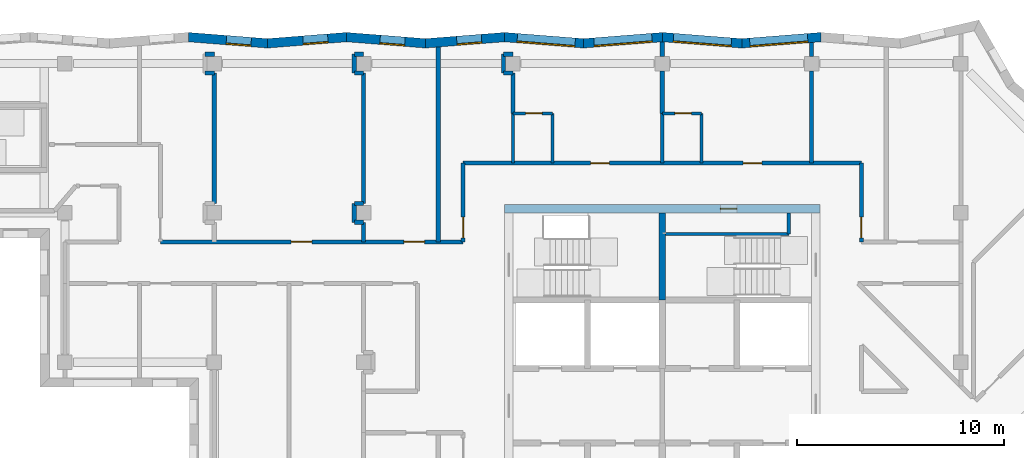
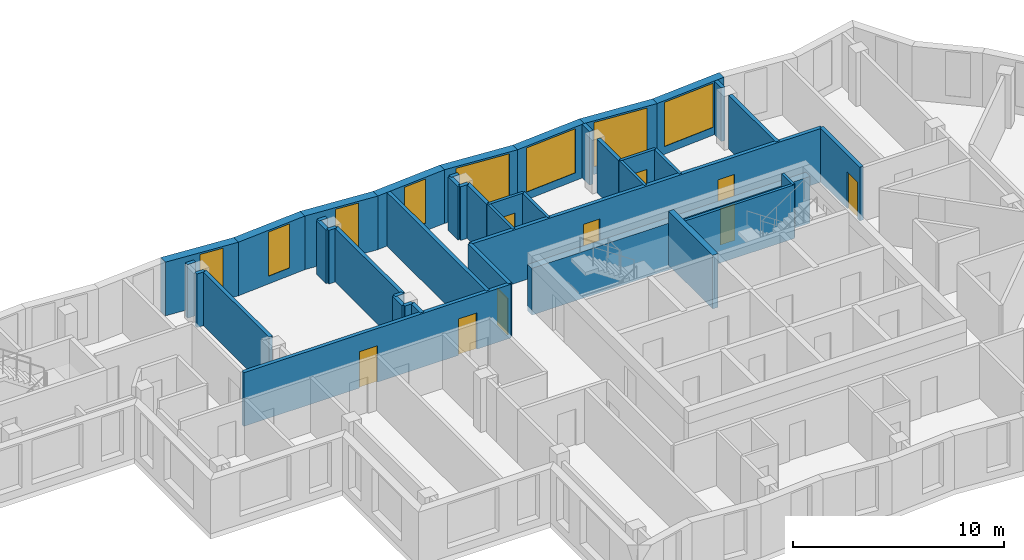
# One storey, part 6 of 13: 42 walls, 9 doors, 8 windows, 17 openings.
"""IFC4 building model written with IfcOpenShell, lengths in metres."""

from ifc_helpers import new_model, si_unit, direction, frame, frame_2d, origin, place, context, subcontext, project, spatial, polyline, rectangle, outline, extrude, material, layer, layer_set, type_object, element, fill, save


model = new_model("IFC4")

# Units and contexts
model_context = context("Model", 3, precision=1e-05, world=origin(), true_north=direction((0.0, 1.0)))
body_context = subcontext(model_context, "Body", "Model", "MODEL_VIEW")
ifc_project = project(units=[si_unit("LENGTHUNIT", "METRE"), si_unit("AREAUNIT", "SQUARE_METRE"), si_unit("VOLUMEUNIT", "CUBIC_METRE"), si_unit("PLANEANGLEUNIT", "RADIAN"), si_unit("MASSUNIT", "GRAM", prefix="KILO")], contexts=[model_context])

# Site, building, storey
site_placement = place(None, origin())
site = spatial("IfcSite", under=ifc_project, at=site_placement, CompositionType="ELEMENT")
building_placement = place(site_placement, origin())
building = spatial("IfcBuilding", under=site, at=building_placement, Name="Windrow Commons", CompositionType="ELEMENT")
storey_placement = place(building_placement, frame((0.0, 0.0, 243.8)))
storey = spatial("IfcBuildingStorey", under=building, at=storey_placement, Name="L66", CompositionType="ELEMENT", Elevation=243.8)

# Wall, opening, window
ifc_material_1 = material(Name="Brick masonry, red clay brick", Category="masonry")
ifc_layer_1 = layer(ifc_material_1, 0.45)
ifc_layer_set_1 = layer_set([ifc_layer_1], Name="Brick facade wall 450")
wall_type_1 = type_object("IfcWallType", Name="Brick facade wall 450", PredefinedType="SOLIDWALL", material=ifc_layer_set_1)
wall_1_placement = place(storey_placement, frame((72.4456, 73.2743, 0.0), z_axis=(0.0, 0.0, 1.0), x_axis=(-0.9969177178, -0.0784542156, 0.0)))
wall_1 = element("IfcWall", 1, at=wall_1_placement, inside=storey, type_object=wall_type_1, Name="Brick facade wall L66 19", PredefinedType="SOLIDWALL", context=body_context, shape_type="SweptSolid", body=[
    extrude(outline(polyline([(-0.0177, -0.225), (3.8062, -0.225), (3.8416, 0.225), (0.0177, 0.225), (-0.0177, -0.225)])), origin(), (0.0, 0.0, 1.0), 3.1),
])
opening_1_placement = place(wall_1_placement, frame((0.6355, 0.0, 0.45)))
opening_1 = element("IfcOpeningElement", 2, at=opening_1_placement, cuts=wall_1, Name="Opening W1V", PredefinedType="OPENING", context=body_context, shape_type="SweptSolid", body=[
    extrude(rectangle(XDim=2.8, YDim=2.55, at=frame_2d((1.4, 1.275))), frame((0.0, 0.235, 0.0), z_axis=(0.0, -1.0, 0.0), x_axis=(1.0, 0.0, 0.0)), (0.0, 0.0, 1.0), 0.47),
])
ifc_material_2 = material(Name="Clear float glass in anodised aluminium frame", Category="aluminium")
window_type_1 = type_object("IfcWindowType", Name="Window W1V bedroom 2800x2550", PartitioningType="SINGLE_PANEL", PredefinedType="WINDOW", material=ifc_material_2)
window_1_placement = place(opening_1_placement, origin())
window_1 = element("IfcWindow", 3, at=window_1_placement, inside=storey, type_object=window_type_1, Name="Window L66 19.1", OverallHeight=2.55, OverallWidth=2.8, PartitioningType="SINGLE_PANEL", PredefinedType="WINDOW", context=body_context, shape_type="SweptSolid", body=[
    extrude(rectangle(XDim=2.8, YDim=2.55, at=frame_2d((1.4, 1.275))), frame((0.0, 0.205, 0.0), z_axis=(0.0, -1.0, 0.0), x_axis=(1.0, 0.0, 0.0)), (0.0, 0.0, 1.0), 0.06),
])
fill(opening_1, window_1)

wall_2_placement = place(storey_placement, frame((68.6335, 72.9743, 0.0), z_axis=(0.0, 0.0, 1.0), x_axis=(-0.9969177178, 0.0784542156, 0.0)))
wall_2 = element("IfcWall", 4, at=wall_2_placement, inside=storey, type_object=wall_type_1, Name="Brick facade wall L66 20", PredefinedType="SOLIDWALL", context=body_context, shape_type="SweptSolid", body=[
    extrude(outline(polyline([(0.0177, -0.225), (3.8416, -0.225), (3.8062, 0.225), (-0.0177, 0.225), (0.0177, -0.225)])), origin(), (0.0, 0.0, 1.0), 3.1),
])
opening_2_placement = place(wall_2_placement, frame((0.5031, 0.0, 0.45)))
opening_2 = element("IfcOpeningElement", 5, at=opening_2_placement, cuts=wall_2, Name="Opening W1V", PredefinedType="OPENING", context=body_context, shape_type="SweptSolid", body=[
    extrude(rectangle(XDim=2.8, YDim=2.55, at=frame_2d((1.4, 1.275))), frame((0.0, 0.235, 0.0), z_axis=(0.0, -1.0, 0.0), x_axis=(1.0, 0.0, 0.0)), (0.0, 0.0, 1.0), 0.47),
])
window_2_placement = place(opening_2_placement, origin())
window_2 = element("IfcWindow", 6, at=window_2_placement, inside=storey, type_object=window_type_1, Name="Window L66 20.1", OverallHeight=2.55, OverallWidth=2.8, PartitioningType="SINGLE_PANEL", PredefinedType="WINDOW", context=body_context, shape_type="SweptSolid", body=[
    extrude(rectangle(XDim=2.8, YDim=2.55, at=frame_2d((1.4, 1.275))), frame((0.0, 0.205, 0.0), z_axis=(0.0, -1.0, 0.0), x_axis=(1.0, 0.0, 0.0)), (0.0, 0.0, 1.0), 0.06),
])
fill(opening_2, window_2)

wall_3_placement = place(storey_placement, frame((64.8214, 73.2743, 0.0), z_axis=(0.0, 0.0, 1.0), x_axis=(-0.9969178788, -0.0784521703, 0.0)))
wall_3 = element("IfcWall", 7, at=wall_3_placement, inside=storey, type_object=wall_type_1, Name="Brick facade wall L66 21", PredefinedType="SOLIDWALL", context=body_context, shape_type="SweptSolid", body=[
    extrude(outline(polyline([(-0.0177, -0.225), (3.8062, -0.225), (3.8416, 0.225), (0.0177, 0.225), (-0.0177, -0.225)])), origin(), (0.0, 0.0, 1.0), 3.1),
])
opening_3_placement = place(wall_3_placement, frame((0.5208, 0.0, 0.45)))
opening_3 = element("IfcOpeningElement", 8, at=opening_3_placement, cuts=wall_3, Name="Opening W1V", PredefinedType="OPENING", context=body_context, shape_type="SweptSolid", body=[
    extrude(rectangle(XDim=2.8, YDim=2.55, at=frame_2d((1.4, 1.275))), frame((0.0, 0.235, 0.0), z_axis=(0.0, -1.0, 0.0), x_axis=(1.0, 0.0, 0.0)), (0.0, 0.0, 1.0), 0.47),
])
window_3_placement = place(opening_3_placement, origin())
window_3 = element("IfcWindow", 9, at=window_3_placement, inside=storey, type_object=window_type_1, Name="Window L66 21.1", OverallHeight=2.55, OverallWidth=2.8, PartitioningType="SINGLE_PANEL", PredefinedType="WINDOW", context=body_context, shape_type="SweptSolid", body=[
    extrude(rectangle(XDim=2.8, YDim=2.55, at=frame_2d((1.4, 1.275))), frame((0.0, 0.205, 0.0), z_axis=(0.0, -1.0, 0.0), x_axis=(1.0, 0.0, 0.0)), (0.0, 0.0, 1.0), 0.06),
])
fill(opening_3, window_3)

wall_4_placement = place(storey_placement, frame((61.0092, 72.9743, 0.0), z_axis=(0.0, 0.0, 1.0), x_axis=(-0.9969177178, 0.0784542156, 0.0)))
wall_4 = element("IfcWall", 10, at=wall_4_placement, inside=storey, type_object=wall_type_1, Name="Brick facade wall L66 22", PredefinedType="SOLIDWALL", context=body_context, shape_type="SweptSolid", body=[
    extrude(outline(polyline([(0.0177, -0.225), (3.8416, -0.225), (3.8062, 0.225), (-0.0177, 0.225), (0.0177, -0.225)])), origin(), (0.0, 0.0, 1.0), 3.1),
])
opening_4_placement = place(wall_4_placement, frame((0.4099, 0.0, 0.45)))
opening_4 = element("IfcOpeningElement", 11, at=opening_4_placement, cuts=wall_4, Name="Opening W1V", PredefinedType="OPENING", context=body_context, shape_type="SweptSolid", body=[
    extrude(rectangle(XDim=2.8, YDim=2.55, at=frame_2d((1.4, 1.275))), frame((0.0, 0.235, 0.0), z_axis=(0.0, -1.0, 0.0), x_axis=(1.0, 0.0, 0.0)), (0.0, 0.0, 1.0), 0.47),
])
window_4_placement = place(opening_4_placement, origin())
window_4 = element("IfcWindow", 12, at=window_4_placement, inside=storey, type_object=window_type_1, Name="Window L66 22.1", OverallHeight=2.55, OverallWidth=2.8, PartitioningType="SINGLE_PANEL", PredefinedType="WINDOW", context=body_context, shape_type="SweptSolid", body=[
    extrude(rectangle(XDim=2.8, YDim=2.55, at=frame_2d((1.4, 1.275))), frame((0.0, 0.205, 0.0), z_axis=(0.0, -1.0, 0.0), x_axis=(1.0, 0.0, 0.0)), (0.0, 0.0, 1.0), 0.06),
])
fill(opening_4, window_4)

wall_5_placement = place(storey_placement, frame((57.1971, 73.2743, 0.0), z_axis=(0.0, 0.0, 1.0), x_axis=(-0.9969178788, -0.0784521703, 0.0)))
wall_5 = element("IfcWall", 13, at=wall_5_placement, inside=storey, type_object=wall_type_1, Name="Brick facade wall L66 23", PredefinedType="SOLIDWALL", context=body_context, shape_type="SweptSolid", body=[
    extrude(outline(polyline([(-0.0177, -0.225), (3.8062, -0.225), (3.8416, 0.225), (0.0177, 0.225), (-0.0177, -0.225)])), origin(), (0.0, 0.0, 1.0), 3.1),
])
opening_5_placement = place(wall_5_placement, frame((1.1123, 0.0, 0.45)))
opening_5 = element("IfcOpeningElement", 14, at=opening_5_placement, cuts=wall_5, Name="Opening W7F", PredefinedType="OPENING", context=body_context, shape_type="SweptSolid", body=[
    extrude(rectangle(XDim=1.2, YDim=2.55, at=frame_2d((0.6, 1.275))), frame((0.0, 0.235, 0.0), z_axis=(0.0, -1.0, 0.0), x_axis=(1.0, 0.0, 0.0)), (0.0, 0.0, 1.0), 0.47),
])
ifc_material_3 = material(Name="Clear float glass in anodised aluminium frame", Category="aluminium")
window_type_2 = type_object("IfcWindowType", Name="Window W7 notch 1200x2550", PartitioningType="SINGLE_PANEL", PredefinedType="WINDOW", material=ifc_material_3)
window_5_placement = place(opening_5_placement, origin())
window_5 = element("IfcWindow", 15, at=window_5_placement, inside=storey, type_object=window_type_2, Name="Window L66 23.1", OverallHeight=2.55, OverallWidth=1.2, PartitioningType="SINGLE_PANEL", PredefinedType="WINDOW", context=body_context, shape_type="SweptSolid", body=[
    extrude(rectangle(XDim=1.2, YDim=2.55, at=frame_2d((0.6, 1.275))), frame((0.0, 0.205, 0.0), z_axis=(0.0, -1.0, 0.0), x_axis=(1.0, 0.0, 0.0)), (0.0, 0.0, 1.0), 0.06),
])
fill(opening_5, window_5)

wall_6_placement = place(storey_placement, frame((53.3849, 72.9743, 0.0), z_axis=(0.0, 0.0, 1.0), x_axis=(-0.9969177178, 0.0784542156, 0.0)))
wall_6 = element("IfcWall", 16, at=wall_6_placement, inside=storey, type_object=wall_type_1, Name="Brick facade wall L66 24", PredefinedType="SOLIDWALL", context=body_context, shape_type="SweptSolid", body=[
    extrude(outline(polyline([(0.0177, -0.225), (3.8416, -0.225), (3.8062, 0.225), (-0.0177, 0.225), (0.0177, -0.225)])), origin(), (0.0, 0.0, 1.0), 3.1),
])
opening_6_placement = place(wall_6_placement, frame((0.9971, 0.0, 0.45)))
opening_6 = element("IfcOpeningElement", 17, at=opening_6_placement, cuts=wall_6, Name="Opening W7F", PredefinedType="OPENING", context=body_context, shape_type="SweptSolid", body=[
    extrude(rectangle(XDim=1.2, YDim=2.55, at=frame_2d((0.6, 1.275))), frame((0.0, 0.235, 0.0), z_axis=(0.0, -1.0, 0.0), x_axis=(1.0, 0.0, 0.0)), (0.0, 0.0, 1.0), 0.47),
])
window_6_placement = place(opening_6_placement, origin())
window_6 = element("IfcWindow", 18, at=window_6_placement, inside=storey, type_object=window_type_2, Name="Window L66 24.1", OverallHeight=2.55, OverallWidth=1.2, PartitioningType="SINGLE_PANEL", PredefinedType="WINDOW", context=body_context, shape_type="SweptSolid", body=[
    extrude(rectangle(XDim=1.2, YDim=2.55, at=frame_2d((0.6, 1.275))), frame((0.0, 0.205, 0.0), z_axis=(0.0, -1.0, 0.0), x_axis=(1.0, 0.0, 0.0)), (0.0, 0.0, 1.0), 0.06),
])
fill(opening_6, window_6)

wall_7_placement = place(storey_placement, frame((49.5728, 73.2743, 0.0), z_axis=(0.0, 0.0, 1.0), x_axis=(-0.9969177178, -0.0784542156, 0.0)))
wall_7 = element("IfcWall", 19, at=wall_7_placement, inside=storey, type_object=wall_type_1, Name="Brick facade wall L66 25", PredefinedType="SOLIDWALL", context=body_context, shape_type="SweptSolid", body=[
    extrude(outline(polyline([(-0.0177, -0.225), (3.8062, -0.225), (3.8416, 0.225), (0.0177, 0.225), (-0.0177, -0.225)])), origin(), (0.0, 0.0, 1.0), 3.1),
])
opening_7_placement = place(wall_7_placement, frame((0.8995, 0.0, 0.45)))
opening_7 = element("IfcOpeningElement", 20, at=opening_7_placement, cuts=wall_7, Name="Opening W7F", PredefinedType="OPENING", context=body_context, shape_type="SweptSolid", body=[
    extrude(rectangle(XDim=1.2, YDim=2.55, at=frame_2d((0.6, 1.275))), frame((0.0, 0.235, 0.0), z_axis=(0.0, -1.0, 0.0), x_axis=(1.0, 0.0, 0.0)), (0.0, 0.0, 1.0), 0.47),
])
window_7_placement = place(opening_7_placement, origin())
window_7 = element("IfcWindow", 21, at=window_7_placement, inside=storey, type_object=window_type_2, Name="Window L66 25.1", OverallHeight=2.55, OverallWidth=1.2, PartitioningType="SINGLE_PANEL", PredefinedType="WINDOW", context=body_context, shape_type="SweptSolid", body=[
    extrude(rectangle(XDim=1.2, YDim=2.55, at=frame_2d((0.6, 1.275))), frame((0.0, 0.205, 0.0), z_axis=(0.0, -1.0, 0.0), x_axis=(1.0, 0.0, 0.0)), (0.0, 0.0, 1.0), 0.06),
])
fill(opening_7, window_7)

wall_8_placement = place(storey_placement, frame((45.7607, 72.9743, 0.0), z_axis=(0.0, 0.0, 1.0), x_axis=(-0.9969178788, 0.0784521703, 0.0)))
wall_8 = element("IfcWall", 22, at=wall_8_placement, inside=storey, type_object=wall_type_1, Name="Brick facade wall L66 26", PredefinedType="SOLIDWALL", context=body_context, shape_type="SweptSolid", body=[
    extrude(outline(polyline([(0.0177, -0.225), (3.8416, -0.225), (3.8062, 0.225), (-0.0177, 0.225), (0.0177, -0.225)])), origin(), (0.0, 0.0, 1.0), 3.1),
])
opening_8_placement = place(wall_8_placement, frame((0.7843, 0.0, 0.45)))
opening_8 = element("IfcOpeningElement", 23, at=opening_8_placement, cuts=wall_8, Name="Opening W7F", PredefinedType="OPENING", context=body_context, shape_type="SweptSolid", body=[
    extrude(rectangle(XDim=1.2, YDim=2.55, at=frame_2d((0.6, 1.275))), frame((0.0, 0.235, 0.0), z_axis=(0.0, -1.0, 0.0), x_axis=(1.0, 0.0, 0.0)), (0.0, 0.0, 1.0), 0.47),
])
window_8_placement = place(opening_8_placement, origin())
window_8 = element("IfcWindow", 24, at=window_8_placement, inside=storey, type_object=window_type_2, Name="Window L66 26.1", OverallHeight=2.55, OverallWidth=1.2, PartitioningType="SINGLE_PANEL", PredefinedType="WINDOW", context=body_context, shape_type="SweptSolid", body=[
    extrude(rectangle(XDim=1.2, YDim=2.55, at=frame_2d((0.6, 1.275))), frame((0.0, 0.205, 0.0), z_axis=(0.0, -1.0, 0.0), x_axis=(1.0, 0.0, 0.0)), (0.0, 0.0, 1.0), 0.06),
])
fill(opening_8, window_8)

# Wall, openings, doors
ifc_material_4 = material(Name="Blockwork partition", Category="masonry")
ifc_layer_2 = layer(ifc_material_4, 0.2)
ifc_layer_set_2 = layer_set([ifc_layer_2], Name="IW-CORRIDOR-200")
wall_type_2 = type_object("IfcWallType", Name="IW-CORRIDOR-200", PredefinedType="PARTITIONING", material=ifc_layer_set_2)
wall_9_placement = place(storey_placement, frame((55.2, 67.2, 0.0), z_axis=(0.0, 0.0, 1.0), x_axis=(1.0, 0.0, 0.0)))
wall_9 = element("IfcWall", 25, at=wall_9_placement, inside=storey, type_object=wall_type_2, Name="W-L66-W000", PredefinedType="PARTITIONING", context=body_context, shape_type="SweptSolid", body=[
    extrude(rectangle(XDim=19.2, YDim=0.2, at=frame_2d((9.6, 0.0))), origin(), (0.0, 0.0, 1.0), 3.1),
])
opening_9_placement = place(wall_9_placement, frame((6.1489, 0.0, 0.0)))
opening_9 = element("IfcOpeningElement", 26, at=opening_9_placement, cuts=wall_9, Name="Opening D109F", PredefinedType="OPENING", context=body_context, shape_type="SweptSolid", body=[
    extrude(rectangle(XDim=0.9, YDim=2.1, at=frame_2d((0.45, 1.05))), frame((0.0, 0.11, 0.0), z_axis=(0.0, -1.0, 0.0), x_axis=(1.0, 0.0, 0.0)), (0.0, 0.0, 1.0), 0.22),
])
opening_10_placement = place(wall_9_placement, frame((13.4994, 0.0, 0.0)))
opening_10 = element("IfcOpeningElement", 27, at=opening_10_placement, cuts=wall_9, Name="Opening D109F", PredefinedType="OPENING", context=body_context, shape_type="SweptSolid", body=[
    extrude(rectangle(XDim=0.9, YDim=2.1, at=frame_2d((0.45, 1.05))), frame((0.0, 0.11, 0.0), z_axis=(0.0, -1.0, 0.0), x_axis=(1.0, 0.0, 0.0)), (0.0, 0.0, 1.0), 0.22),
])
ifc_material_5 = material(Name="Timber door leaf", Category="wood")
door_type_1 = type_object("IfcDoorType", Name="DT-BEDROOM-900", OperationType="SINGLE_SWING_LEFT", PredefinedType="DOOR", material=ifc_material_5)
door_1_placement = place(opening_9_placement, origin())
door_1 = element("IfcDoor", 28, at=door_1_placement, inside=storey, type_object=door_type_1, Name="D-L66-D017", OperationType="SINGLE_SWING_RIGHT", OverallHeight=2.1, OverallWidth=0.9, PredefinedType="DOOR", context=body_context, shape_type="SweptSolid", body=[
    extrude(rectangle(XDim=0.9, YDim=2.1, at=frame_2d((0.45, 1.05))), frame((0.0, 0.025, 0.0), z_axis=(0.0, -1.0, 0.0), x_axis=(1.0, 0.0, 0.0)), (0.0, 0.0, 1.0), 0.05),
])
fill(opening_9, door_1)
door_2_placement = place(opening_10_placement, origin())
door_2 = element("IfcDoor", 29, at=door_2_placement, inside=storey, type_object=door_type_1, Name="D-L66-D019", OperationType="SINGLE_SWING_RIGHT", OverallHeight=2.1, OverallWidth=0.9, PredefinedType="DOOR", context=body_context, shape_type="SweptSolid", body=[
    extrude(rectangle(XDim=0.9, YDim=2.1, at=frame_2d((0.45, 1.05))), frame((0.0, 0.025, 0.0), z_axis=(0.0, -1.0, 0.0), x_axis=(1.0, 0.0, 0.0)), (0.0, 0.0, 1.0), 0.05),
])
fill(opening_10, door_2)

wall_10_placement = place(storey_placement, frame((40.61, 63.4, 0.0), z_axis=(0.0, 0.0, 1.0), x_axis=(1.0, 0.0, 0.0)))
wall_10 = element("IfcWall", 30, at=wall_10_placement, inside=storey, type_object=wall_type_2, Name="W-L66-W003", PredefinedType="PARTITIONING", context=body_context, shape_type="SweptSolid", body=[
    extrude(rectangle(XDim=14.59, YDim=0.2, at=frame_2d((7.295, 0.0))), origin(), (0.0, 0.0, 1.0), 3.1),
])
opening_11_placement = place(wall_10_placement, frame((6.3, 0.0, 0.0)))
opening_11 = element("IfcOpeningElement", 31, at=opening_11_placement, cuts=wall_10, Name="Opening D310F", PredefinedType="OPENING", context=body_context, shape_type="SweptSolid", body=[
    extrude(rectangle(XDim=1.0, YDim=2.1, at=frame_2d((0.5, 1.05))), frame((0.0, 0.11, 0.0), z_axis=(0.0, -1.0, 0.0), x_axis=(1.0, 0.0, 0.0)), (0.0, 0.0, 1.0), 0.22),
])
opening_12_placement = place(wall_10_placement, frame((11.73, 0.0, 0.0)))
opening_12 = element("IfcOpeningElement", 32, at=opening_12_placement, cuts=wall_10, Name="Opening D310F", PredefinedType="OPENING", context=body_context, shape_type="SweptSolid", body=[
    extrude(rectangle(XDim=1.0, YDim=2.1, at=frame_2d((0.5, 1.05))), frame((0.0, 0.11, 0.0), z_axis=(0.0, -1.0, 0.0), x_axis=(1.0, 0.0, 0.0)), (0.0, 0.0, 1.0), 0.22),
])
ifc_material_6 = material(Name="Timber door leaf", Category="wood")
door_type_2 = type_object("IfcDoorType", Name="DT-AMENITY-1000", OperationType="SINGLE_SWING_LEFT", PredefinedType="DOOR", material=ifc_material_6)
door_3_placement = place(opening_11_placement, origin())
door_3 = element("IfcDoor", 33, at=door_3_placement, inside=storey, type_object=door_type_2, Name="D-L66-D006", OperationType="SINGLE_SWING_RIGHT", OverallHeight=2.1, OverallWidth=1.0, PredefinedType="DOOR", context=body_context, shape_type="SweptSolid", body=[
    extrude(rectangle(XDim=1.0, YDim=2.1, at=frame_2d((0.5, 1.05))), frame((0.0, 0.025, 0.0), z_axis=(0.0, -1.0, 0.0), x_axis=(1.0, 0.0, 0.0)), (0.0, 0.0, 1.0), 0.05),
])
fill(opening_11, door_3)
door_4_placement = place(opening_12_placement, origin())
door_4 = element("IfcDoor", 34, at=door_4_placement, inside=storey, type_object=door_type_2, Name="D-L66-D007", OperationType="SINGLE_SWING_RIGHT", OverallHeight=2.1, OverallWidth=1.0, PredefinedType="DOOR", context=body_context, shape_type="SweptSolid", body=[
    extrude(rectangle(XDim=1.0, YDim=2.1, at=frame_2d((0.5, 1.05))), frame((0.0, 0.025, 0.0), z_axis=(0.0, -1.0, 0.0), x_axis=(1.0, 0.0, 0.0)), (0.0, 0.0, 1.0), 0.05),
])
fill(opening_12, door_4)

# Wall, opening, door
wall_11_placement = place(storey_placement, frame((55.2, 63.402, 0.0), z_axis=(0.0, 0.0, 1.0), x_axis=(0.0, 1.0, 0.0)))
wall_11 = element("IfcWall", 35, at=wall_11_placement, inside=storey, type_object=wall_type_2, Name="W-L66-W043", PredefinedType="PARTITIONING", context=body_context, shape_type="SweptSolid", body=[
    extrude(rectangle(XDim=3.798, YDim=0.2, at=frame_2d((1.899, 0.0))), origin(), (0.0, 0.0, 1.0), 3.1),
])
opening_13_placement = place(wall_11_placement, frame((0.1932, 0.0, 0.0)))
opening_13 = element("IfcOpeningElement", 36, at=opening_13_placement, cuts=wall_11, Name="Opening D310F", PredefinedType="OPENING", context=body_context, shape_type="SweptSolid", body=[
    extrude(rectangle(XDim=1.0, YDim=2.1, at=frame_2d((0.5, 1.05))), frame((0.0, 0.11, 0.0), z_axis=(0.0, -1.0, 0.0), x_axis=(1.0, 0.0, 0.0)), (0.0, 0.0, 1.0), 0.22),
])
door_5_placement = place(opening_13_placement, origin())
door_5 = element("IfcDoor", 37, at=door_5_placement, inside=storey, type_object=door_type_2, Name="D-L66-D008", OperationType="SINGLE_SWING_LEFT", OverallHeight=2.1, OverallWidth=1.0, PredefinedType="DOOR", context=body_context, shape_type="SweptSolid", body=[
    extrude(rectangle(XDim=1.0, YDim=2.1, at=frame_2d((0.5, 1.05))), frame((0.0, 0.025, 0.0), z_axis=(0.0, -1.0, 0.0), x_axis=(1.0, 0.0, 0.0)), (0.0, 0.0, 1.0), 0.05),
])
fill(opening_13, door_5)

wall_12_placement = place(storey_placement, frame((74.4, 63.402, 0.0), z_axis=(0.0, 0.0, 1.0), x_axis=(0.0, 1.0, 0.0)))
wall_12 = element("IfcWall", 38, at=wall_12_placement, inside=storey, type_object=wall_type_2, Name="W-L66-W044", PredefinedType="PARTITIONING", context=body_context, shape_type="SweptSolid", body=[
    extrude(rectangle(XDim=3.798, YDim=0.2, at=frame_2d((1.899, 0.0))), origin(), (0.0, 0.0, 1.0), 3.1),
])
opening_14_placement = place(wall_12_placement, frame((0.1932, 0.0, 0.0)))
opening_14 = element("IfcOpeningElement", 39, at=opening_14_placement, cuts=wall_12, Name="Opening D310F", PredefinedType="OPENING", context=body_context, shape_type="SweptSolid", body=[
    extrude(rectangle(XDim=1.0, YDim=2.1, at=frame_2d((0.5, 1.05))), frame((0.0, 0.11, 0.0), z_axis=(0.0, -1.0, 0.0), x_axis=(1.0, 0.0, 0.0)), (0.0, 0.0, 1.0), 0.22),
])
door_6_placement = place(opening_14_placement, origin())
door_6 = element("IfcDoor", 40, at=door_6_placement, inside=storey, type_object=door_type_2, Name="D-L66-D009", OperationType="SINGLE_SWING_RIGHT", OverallHeight=2.1, OverallWidth=1.0, PredefinedType="DOOR", context=body_context, shape_type="SweptSolid", body=[
    extrude(rectangle(XDim=1.0, YDim=2.1, at=frame_2d((0.5, 1.05))), frame((0.0, 0.025, 0.0), z_axis=(0.0, -1.0, 0.0), x_axis=(1.0, 0.0, 0.0)), (0.0, 0.0, 1.0), 0.05),
])
fill(opening_14, door_6)

# Walls
ifc_material_7 = material(Name="Blockwork partition", Category="masonry")
ifc_layer_3 = layer(ifc_material_7, 0.15)
ifc_layer_set_3 = layer_set([ifc_layer_3], Name="IW-ENSUITE-150")
wall_type_3 = type_object("IfcWallType", Name="IW-ENSUITE-150", PredefinedType="PARTITIONING", material=ifc_layer_set_3)
for number, where, z_axis, x_axis, name in (
    (41, (59.5, 67.2, 0.0), (0.0, 0.0, 1.0), (0.0, 1.0, 0.0), "W-L66-W065"),
    (42, (57.6, 67.2, 0.0), (0.0, 0.0, 1.0), (0.0, 1.0, 0.0), "W-L66-W066"),
    (43, (66.7, 67.2, 0.0), (0.0, 0.0, 1.0), (0.0, 1.0, 0.0), "W-L66-W067"),
    (44, (64.8, 67.2, 0.0), (0.0, 0.0, 1.0), (0.0, 1.0, 0.0), "W-L66-W068"),
):
    element("IfcWall", number, at=place(storey_placement, frame(where, z_axis=z_axis, x_axis=x_axis)), inside=storey, type_object=wall_type_3, Name=name, PredefinedType="PARTITIONING", context=body_context, shape_type="SweptSolid", body=[
        extrude(rectangle(XDim=2.4, YDim=0.15, at=frame_2d((1.2, 0.0))), origin(), (0.0, 0.0, 1.0), 3.1),
    ])

# Wall, opening, door
wall_13_placement = place(storey_placement, frame((64.8, 69.6, 0.0), z_axis=(0.0, 0.0, 1.0), x_axis=(1.0, 0.0, 0.0)))
wall_13 = element("IfcWall", 45, at=wall_13_placement, inside=storey, type_object=wall_type_3, Name="W-L66-W085", PredefinedType="PARTITIONING", context=body_context, shape_type="SweptSolid", body=[
    extrude(rectangle(XDim=1.9, YDim=0.15, at=frame_2d((0.95, 0.0))), origin(), (0.0, 0.0, 1.0), 3.1),
])
opening_15_placement = place(wall_13_placement, frame((0.6069, 0.0, 0.0)))
opening_15 = element("IfcOpeningElement", 46, at=opening_15_placement, cuts=wall_13, Name="Opening D208N", PredefinedType="OPENING", context=body_context, shape_type="SweptSolid", body=[
    extrude(rectangle(XDim=0.8, YDim=2.1, at=frame_2d((0.4, 1.05))), frame((0.0, 0.085, 0.0), z_axis=(0.0, -1.0, 0.0), x_axis=(1.0, 0.0, 0.0)), (0.0, 0.0, 1.0), 0.17),
])
ifc_material_8 = material(Name="Timber door leaf", Category="wood")
door_type_3 = type_object("IfcDoorType", Name="DT-ENSUITE-800", OperationType="SINGLE_SWING_LEFT", PredefinedType="DOOR", material=ifc_material_8)
door_7_placement = place(opening_15_placement, origin())
door_7 = element("IfcDoor", 47, at=door_7_placement, inside=storey, type_object=door_type_3, Name="D-L66-D020", OperationType="SINGLE_SWING_RIGHT", OverallHeight=2.1, OverallWidth=0.8, PredefinedType="DOOR", context=body_context, shape_type="SweptSolid", body=[
    extrude(rectangle(XDim=0.8, YDim=2.1, at=frame_2d((0.4, 1.05))), frame((0.0, 0.025, 0.0), z_axis=(0.0, -1.0, 0.0), x_axis=(1.0, 0.0, 0.0)), (0.0, 0.0, 1.0), 0.05),
])
fill(opening_15, door_7)

wall_14_placement = place(storey_placement, frame((57.6, 69.6, 0.0), z_axis=(0.0, 0.0, 1.0), x_axis=(1.0, 0.0, 0.0)))
wall_14 = element("IfcWall", 48, at=wall_14_placement, inside=storey, type_object=wall_type_3, Name="W-L66-W087", PredefinedType="PARTITIONING", context=body_context, shape_type="SweptSolid", body=[
    extrude(rectangle(XDim=1.9, YDim=0.15, at=frame_2d((0.95, 0.0))), origin(), (0.0, 0.0, 1.0), 3.1),
])
opening_16_placement = place(wall_14_placement, frame((0.6069, 0.0, 0.0)))
opening_16 = element("IfcOpeningElement", 49, at=opening_16_placement, cuts=wall_14, Name="Opening D208N", PredefinedType="OPENING", context=body_context, shape_type="SweptSolid", body=[
    extrude(rectangle(XDim=0.8, YDim=2.1, at=frame_2d((0.4, 1.05))), frame((0.0, 0.085, 0.0), z_axis=(0.0, -1.0, 0.0), x_axis=(1.0, 0.0, 0.0)), (0.0, 0.0, 1.0), 0.17),
])
door_8_placement = place(opening_16_placement, origin())
door_8 = element("IfcDoor", 50, at=door_8_placement, inside=storey, type_object=door_type_3, Name="D-L66-D018", OperationType="SINGLE_SWING_RIGHT", OverallHeight=2.1, OverallWidth=0.8, PredefinedType="DOOR", context=body_context, shape_type="SweptSolid", body=[
    extrude(rectangle(XDim=0.8, YDim=2.1, at=frame_2d((0.4, 1.05))), frame((0.0, 0.025, 0.0), z_axis=(0.0, -1.0, 0.0), x_axis=(1.0, 0.0, 0.0)), (0.0, 0.0, 1.0), 0.05),
])
fill(opening_16, door_8)

# Walls
ifc_material_9 = material(Name="Blockwork partition", Category="masonry")
ifc_layer_4 = layer(ifc_material_9, 0.2)
ifc_layer_set_4 = layer_set([ifc_layer_4], Name="IW-PARTY-200")
wall_type_4 = type_object("IfcWallType", Name="IW-PARTY-200", PredefinedType="PARTITIONING", material=ifc_layer_set_4)
wall_15_placement = place(storey_placement, frame((54.0, 63.4, 0.0), z_axis=(0.0, 0.0, 1.0), x_axis=(0.0, 1.0, 0.0)))
element("IfcWall", 51, at=wall_15_placement, inside=storey, type_object=wall_type_4, Name="W-L66-W010", PredefinedType="PARTITIONING", context=body_context, shape_type="SweptSolid", body=[
    extrude(rectangle(XDim=9.397, YDim=0.2, at=frame_2d((4.6985, 0.0))), origin(), (0.0, 0.0, 1.0), 3.1),
])
for number, where, z_axis, x_axis, name in (
    (52, (43.2, 65.254, 0.0), (0.0, 0.0, 1.0), (0.0, 1.0, 0.0), "W-L66-W020"),
    (53, (50.4, 65.254, 0.0), (0.0, 0.0, 1.0), (0.0, 1.0, 0.0), "W-L66-W021"),
):
    element("IfcWall", number, at=place(storey_placement, frame(where, z_axis=z_axis, x_axis=x_axis)), inside=storey, type_object=wall_type_4, Name=name, PredefinedType="PARTITIONING", context=body_context, shape_type="SweptSolid", body=[
        extrude(rectangle(XDim=6.292, YDim=0.2, at=frame_2d((3.146, 0.0))), origin(), (0.0, 0.0, 1.0), 3.1),
    ])
wall_16_placement = place(storey_placement, frame((72.0, 67.2, 0.0), z_axis=(0.0, 0.0, 1.0), x_axis=(0.0, 1.0, 0.0)))
element("IfcWall", 54, at=wall_16_placement, inside=storey, type_object=wall_type_4, Name="W-L66-W040", PredefinedType="PARTITIONING", context=body_context, shape_type="SweptSolid", body=[
    extrude(rectangle(XDim=4.45, YDim=0.2, at=frame_2d((2.225, 0.0))), origin(), (0.0, 0.0, 1.0), 3.1),
])
wall_17_placement = place(storey_placement, frame((64.8, 69.6, 0.0), z_axis=(0.0, 0.0, 1.0), x_axis=(0.0, 1.0, 0.0)))
element("IfcWall", 55, at=wall_17_placement, inside=storey, type_object=wall_type_4, Name="W-L66-W074", PredefinedType="PARTITIONING", context=body_context, shape_type="SweptSolid", body=[
    extrude(rectangle(XDim=2.05, YDim=0.2, at=frame_2d((1.025, 0.0))), origin(), (0.0, 0.0, 1.0), 3.1),
])
wall_18_placement = place(storey_placement, frame((57.6, 69.6, 0.0), z_axis=(0.0, 0.0, 1.0), x_axis=(0.0, 1.0, 0.0)))
element("IfcWall", 56, at=wall_18_placement, inside=storey, type_object=wall_type_4, Name="W-L66-W082", PredefinedType="PARTITIONING", context=body_context, shape_type="SweptSolid", body=[
    extrude(rectangle(XDim=1.946, YDim=0.2, at=frame_2d((0.973, 0.0))), origin(), (0.0, 0.0, 1.0), 3.1),
])
wall_19_placement = place(storey_placement, frame((50.4, 63.4, 0.0), z_axis=(0.0, 0.0, 1.0), x_axis=(0.0, 1.0, 0.0)))
element("IfcWall", 57, at=wall_19_placement, inside=storey, type_object=wall_type_4, Name="W-L66-W097", PredefinedType="PARTITIONING", context=body_context, shape_type="SweptSolid", body=[
    extrude(rectangle(XDim=0.946, YDim=0.2, at=frame_2d((0.473, 0.0))), origin(), (0.0, 0.0, 1.0), 3.1),
])
for number, where, z_axis, x_axis, name in (
    (58, (49.95, 64.346, 0.0), (0.0, 0.0, 1.0), (0.0, 1.0, 0.0), "W-L66-W102"),
    (59, (49.95, 71.546, 0.0), (0.0, 0.0, 1.0), (0.0, 1.0, 0.0), "W-L66-W104"),
    (60, (57.15, 71.546, 0.0), (0.0, 0.0, 1.0), (0.0, 1.0, 0.0), "W-L66-W105"),
):
    element("IfcWall", number, at=place(storey_placement, frame(where, z_axis=z_axis, x_axis=x_axis)), inside=storey, type_object=wall_type_4, Name=name, PredefinedType="PARTITIONING", context=body_context, shape_type="SweptSolid", body=[
        extrude(rectangle(XDim=0.908, YDim=0.2, at=frame_2d((0.454, 0.0))), origin(), (0.0, 0.0, 1.0), 3.1),
    ])
wall_20_placement = place(storey_placement, frame((64.8, 72.35, 0.0), z_axis=(0.0, 0.0, 1.0), x_axis=(0.0, 1.0, 0.0)))
element("IfcWall", 61, at=wall_20_placement, inside=storey, type_object=wall_type_4, Name="W-L66-W111", PredefinedType="PARTITIONING", context=body_context, shape_type="SweptSolid", body=[
    extrude(rectangle(XDim=0.6969, YDim=0.2, at=frame_2d((0.3484, 0.0))), origin(), (0.0, 0.0, 1.0), 3.1),
])
wall_21_placement = place(storey_placement, frame((72.0, 72.35, 0.0), z_axis=(0.0, 0.0, 1.0), x_axis=(0.0, 1.0, 0.0)))
element("IfcWall", 62, at=wall_21_placement, inside=storey, type_object=wall_type_4, Name="W-L66-W112", PredefinedType="PARTITIONING", context=body_context, shape_type="SweptSolid", body=[
    extrude(rectangle(XDim=0.6635, YDim=0.2, at=frame_2d((0.3317, 0.0))), origin(), (0.0, 0.0, 1.0), 3.1),
])
for number, where, z_axis, x_axis, name in (
    (63, (42.75, 72.45, 0.0), (0.0, 0.0, 1.0), (1.0, 0.0, 0.0), "W-L66-W118"),
    (64, (57.15, 72.45, 0.0), (0.0, 0.0, 1.0), (1.0, 0.0, 0.0), "W-L66-W119"),
    (65, (42.75, 71.55, 0.0), (0.0, 0.0, 1.0), (1.0, 0.0, 0.0), "W-L66-W120"),
    (66, (57.15, 71.55, 0.0), (0.0, 0.0, 1.0), (1.0, 0.0, 0.0), "W-L66-W121"),
    (67, (49.95, 72.45, 0.0), (0.0, 0.0, 1.0), (1.0, 0.0, 0.0), "W-L66-W126"),
    (68, (49.95, 71.55, 0.0), (0.0, 0.0, 1.0), (1.0, 0.0, 0.0), "W-L66-W127"),
    (69, (49.95, 65.25, 0.0), (0.0, 0.0, 1.0), (1.0, 0.0, 0.0), "W-L66-W128"),
    (70, (49.95, 64.35, 0.0), (0.0, 0.0, 1.0), (1.0, 0.0, 0.0), "W-L66-W129"),
):
    element("IfcWall", number, at=place(storey_placement, frame(where, z_axis=z_axis, x_axis=x_axis)), inside=storey, type_object=wall_type_4, Name=name, PredefinedType="PARTITIONING", context=body_context, shape_type="SweptSolid", body=[
        extrude(rectangle(XDim=0.45, YDim=0.2, at=frame_2d((0.225, 0.0))), origin(), (0.0, 0.0, 1.0), 3.1),
    ])

# Wall, opening, door
ifc_material_10 = material(Name="Concrete C40/50", Category="concrete")
ifc_layer_5 = layer(ifc_material_10, 0.4)
ifc_layer_set_5 = layer_set([ifc_layer_5], Name="RC CORE WALL 400 C40/50")
wall_type_5 = type_object("IfcWallType", Name="RC CORE WALL 400 C40/50", PredefinedType="SHEAR", material=ifc_layer_set_5)
wall_22_placement = place(storey_placement, frame((57.2, 65.0, -0.3), z_axis=(0.0, 0.0, 1.0), x_axis=(1.0, 0.0, 0.0)))
wall_22 = element("IfcWall", 71, at=wall_22_placement, inside=storey, type_object=wall_type_5, Name="Core A wall outer-N", PredefinedType="SHEAR", context=body_context, shape_type="SweptSolid", body=[
    extrude(rectangle(XDim=15.2, YDim=0.4, at=frame_2d((7.6, 0.0))), origin(), (0.0, 0.0, 1.0), 2.7),
])
opening_17_placement = place(wall_22_placement, frame((10.4, 0.0, 0.3)))
opening_17 = element("IfcOpeningElement", 72, at=opening_17_placement, cuts=wall_22, Name="Opening D9", PredefinedType="OPENING", context=body_context, shape_type="SweptSolid", body=[
    extrude(rectangle(XDim=0.8, YDim=2.1, at=frame_2d((0.4, 1.05))), frame((0.0, 0.21, 0.0), z_axis=(0.0, -1.0, 0.0), x_axis=(1.0, 0.0, 0.0)), (0.0, 0.0, 1.0), 0.42),
])
ifc_material_11 = material(Name="Steel fire door leaf", Category="steel")
door_type_4 = type_object("IfcDoorType", Name="Riser access door 800", OperationType="SINGLE_SWING_LEFT", PredefinedType="DOOR", material=ifc_material_11)
door_9_placement = place(opening_17_placement, origin())
door_9 = element("IfcDoor", 73, at=door_9_placement, inside=storey, type_object=door_type_4, Name="Riser access door", OperationType="SINGLE_SWING_RIGHT", OverallHeight=2.1, OverallWidth=0.8, PredefinedType="DOOR", context=body_context, shape_type="SweptSolid", body=[
    extrude(rectangle(XDim=0.8, YDim=2.1, at=frame_2d((0.4, 1.05))), frame((0.0, 0.025, 0.0), z_axis=(0.0, -1.0, 0.0), x_axis=(1.0, 0.0, 0.0)), (0.0, 0.0, 1.0), 0.05),
])
fill(opening_17, door_9)

# Walls
ifc_material_12 = material(Name="Concrete C40/50", Category="concrete")
ifc_layer_6 = layer(ifc_material_12, 0.3)
ifc_layer_set_6 = layer_set([ifc_layer_6], Name="RC SHAFT WALL 300 C40/50")
wall_type_6 = type_object("IfcWallType", Name="RC SHAFT WALL 300 C40/50", PredefinedType="SOLIDWALL", material=ifc_layer_set_6)
wall_23_placement = place(storey_placement, frame((64.8, 60.6, 0.0), z_axis=(0.0, 0.0, 1.0), x_axis=(0.0, 1.0, 0.0)))
element("IfcWall", 74, at=wall_23_placement, inside=storey, type_object=wall_type_6, Name="Core A wall stair-mid", PredefinedType="SOLIDWALL", context=body_context, shape_type="SweptSolid", body=[
    extrude(rectangle(XDim=4.2, YDim=0.3, at=frame_2d((2.1, 0.0))), origin(), (0.0, 0.0, 1.0), 3.1),
])
ifc_material_13 = material(Name="Blockwork partition", Category="masonry")
ifc_layer_7 = layer(ifc_material_13, 0.15)
ifc_layer_set_7 = layer_set([ifc_layer_7], Name="Riser partition 150")
wall_type_7 = type_object("IfcWallType", Name="Riser partition 150", PredefinedType="PARTITIONING", material=ifc_layer_set_7)
wall_24_placement = place(storey_placement, frame((64.95, 63.78, 0.0), z_axis=(0.0, 0.0, 1.0), x_axis=(1.0, 0.0, 0.0)))
element("IfcWall", 75, at=wall_24_placement, inside=storey, type_object=wall_type_7, Name="W-core-strip-A-L66", PredefinedType="PARTITIONING", context=body_context, shape_type="SweptSolid", body=[
    extrude(rectangle(XDim=5.95, YDim=0.15, at=frame_2d((2.975, 0.0))), origin(), (0.0, 0.0, 1.0), 3.1),
])
wall_25_placement = place(storey_placement, frame((70.9, 63.78, 0.0), z_axis=(0.0, 0.0, 1.0), x_axis=(0.0, 1.0, 0.0)))
element("IfcWall", 76, at=wall_25_placement, inside=storey, type_object=wall_type_7, Name="W-core-stripx-A-L66-1", PredefinedType="PARTITIONING", context=body_context, shape_type="SweptSolid", body=[
    extrude(rectangle(XDim=1.02, YDim=0.15, at=frame_2d((0.51, 0.0))), origin(), (0.0, 0.0, 1.0), 3.1),
])

save(model, "model.ifc")
